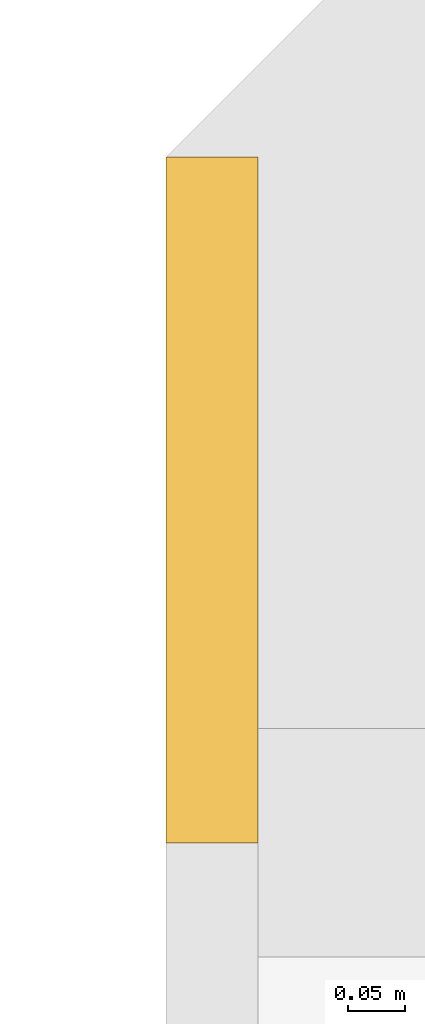
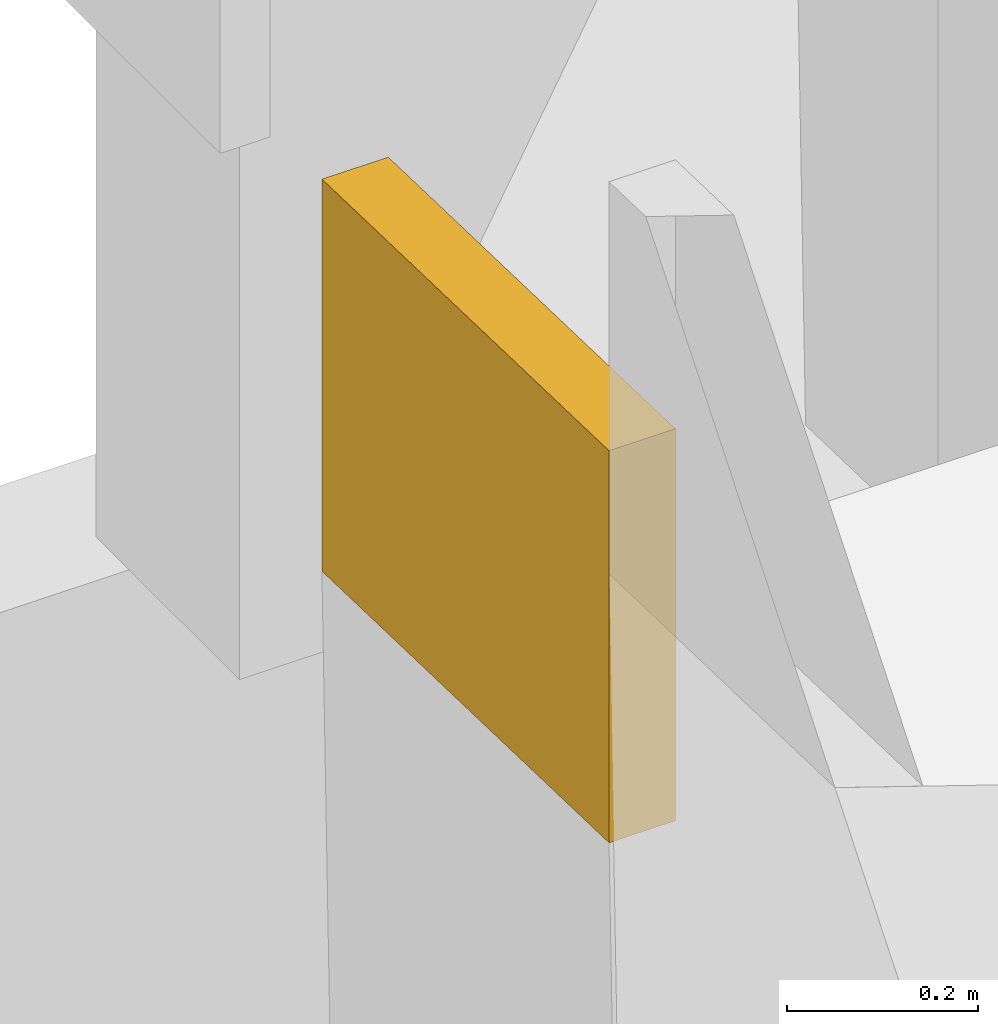
# One storey, part 29 of 30: 1 covering.
"""IFC4 building model written with IfcOpenShell, lengths in metres."""

from ifc_helpers import new_model, si_unit, direction, frame, origin, place, context, subcontext, project, spatial, polyline, outline, extrude, material, layer, layer_set, type_object, element, save


model = new_model("IFC4")

# Units and contexts
model_context = context("Model", 3, precision=1e-05, world=origin(), true_north=direction((0.0, 1.0)))
body_context = subcontext(model_context, "Body", "Model", "MODEL_VIEW")
ifc_project = project(units=[si_unit("LENGTHUNIT", "METRE"), si_unit("AREAUNIT", "SQUARE_METRE"), si_unit("VOLUMEUNIT", "CUBIC_METRE"), si_unit("PLANEANGLEUNIT", "RADIAN"), si_unit("MASSUNIT", "GRAM", prefix="KILO")], contexts=[model_context])

# Site, building, storey
site_placement = place(None, origin())
site = spatial("IfcSite", under=ifc_project, at=site_placement, CompositionType="ELEMENT")
building_placement = place(site_placement, origin())
building = spatial("IfcBuilding", under=site, at=building_placement, Name="Saffron Gate Tower", CompositionType="ELEMENT")
storey_placement = place(building_placement, frame((0.0, 0.0, 169.050048828125)))
storey = spatial("IfcBuildingStorey", under=building, at=storey_placement, Name="L41", CompositionType="ELEMENT", Elevation=169.050048828125)

# Covering
ifc_material = material(Name="Timber, thermally modified ash", Category="wood")
ifc_layer = layer(ifc_material, 0.080078125)
ifc_layer_set = layer_set([ifc_layer], Name="LD2 ledge planter trough")
covering_type = type_object("IfcCoveringType", Name="LD2 ledge planter trough", PredefinedType="CLADDING", material=ifc_layer_set)
covering_placement = place(storey_placement, frame((50.39990234375, 32.39990234375, 0.0595703125), z_axis=(-1.0, 0.0, 0.0), x_axis=(0.0, -0.999582742162, 0.028884971385)))
element("IfcCovering", 1, at=covering_placement, inside=storey, type_object=covering_type, Name="LEDGE planter trough", PredefinedType="CLADDING", context=body_context, shape_type="SweptSolid", body=[
    extrude(outline(polyline([(0.0, 0.0), (0.6001039136866089, 0.0), (0.614546399379222, 0.4997913710809928), (0.014442485692613144, 0.49979137108099286), (0.0, 0.0)])), origin(), (0.0, 0.0, -1.0), 0.080078125),
])

save(model, "model.ifc")
